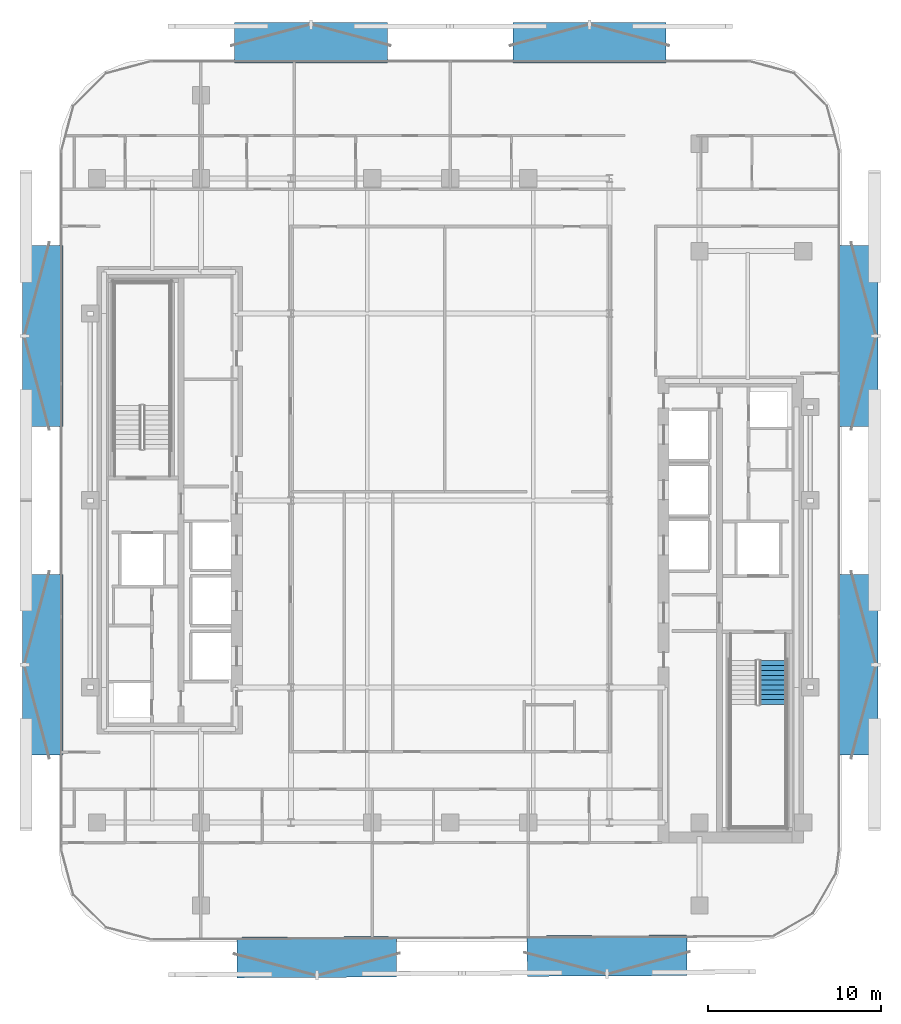
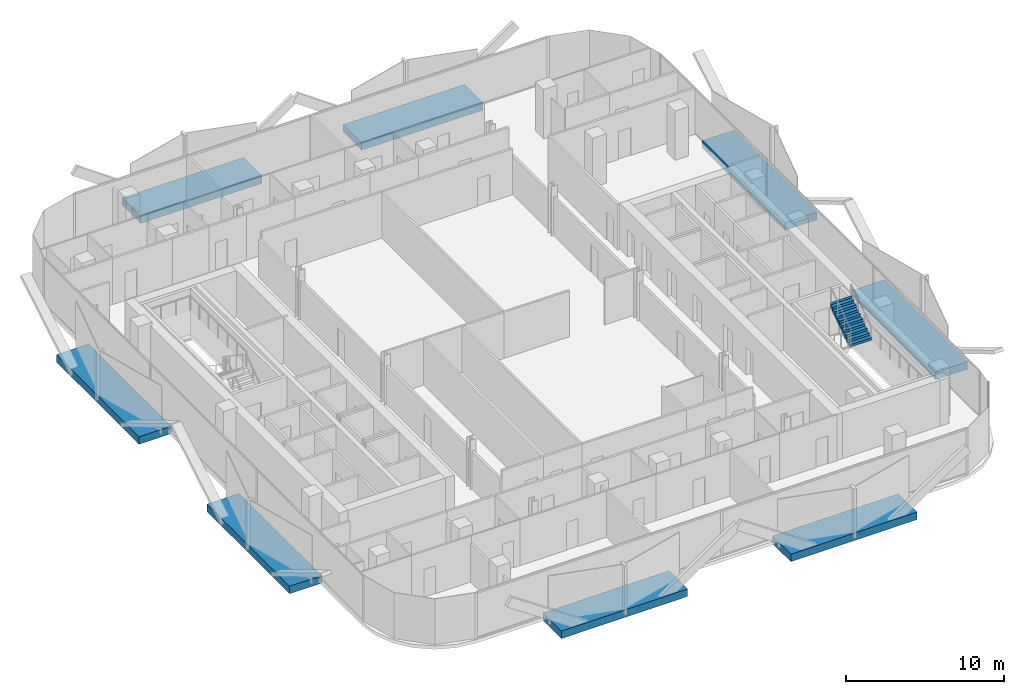
# One storey, part 8 of 17: 8 discrete accessories, 1 stair flight, 1 element without a shape of its own.
"""IFC4 building model written with IfcOpenShell, lengths in metres."""

from ifc_helpers import new_model, si_unit, direction, frame, origin, origin_2d, place, context, subcontext, project, spatial, polyline, rectangle, outline, extrude, material, layer, layer_set, type_object, element, aggregate, save


model = new_model("IFC4")

# Units and contexts
model_context = context("Model", 3, precision=1e-05, world=origin(), true_north=direction((0.0, 1.0)))
body_context = subcontext(model_context, "Body", "Model", "MODEL_VIEW")
ifc_project = project(units=[si_unit("LENGTHUNIT", "METRE"), si_unit("AREAUNIT", "SQUARE_METRE"), si_unit("VOLUMEUNIT", "CUBIC_METRE"), si_unit("PLANEANGLEUNIT", "RADIAN"), si_unit("MASSUNIT", "GRAM", prefix="KILO")], contexts=[model_context])

# Site, building, storey
site_placement = place(None, origin())
site = spatial("IfcSite", under=ifc_project, at=site_placement, CompositionType="ELEMENT")
building_placement = place(site_placement, origin())
building = spatial("IfcBuilding", under=site, at=building_placement, Name="Khairoan Windgate Tower", CompositionType="ELEMENT")
storey_placement = place(building_placement, frame((0.0, 0.0, 180.199951171875)))
storey = spatial("IfcBuildingStorey", under=building, at=storey_placement, Name="L41", CompositionType="ELEMENT", Elevation=180.199951171875)

# Stair, stair flight
ifc_material_1 = material(Name="Concrete C40/50", Category="concrete")
stair_type = type_object("IfcStairType", Name="Tower Core Dog-Leg Stair ST-T1 1560mm", PredefinedType="HALF_TURN_STAIR", material=ifc_material_1)
stair_placement = place(storey_placement, origin())
stair = element("IfcStair", 1, at=stair_placement, inside=storey, type_object=stair_type, Name="L41 Stair ST1", PredefinedType="HALF_TURN_STAIR")
ifc_material_2 = material(Name="Concrete C40/50", Category="concrete")
ifc_layer = layer(ifc_material_2, 0.14990234375, Name="Concrete C40/50")
ifc_layer_set = layer_set([ifc_layer], Name="Concrete C40/50")
stair_flight_type = type_object("IfcStairFlightType", Name="Tower Core Stair Flight STF-1560", PredefinedType="STRAIGHT", material=ifc_layer_set)
stair_flight_placement = place(storey_placement, frame((18.639892578125, -11.780029296875, 1.900146484375), z_axis=(0.0, 0.0, 1.0), x_axis=(0.0, 1.0, 0.0)))
stair_flight = element("IfcStairFlight", 2, at=stair_flight_placement, type_object=stair_flight_type, Name="ST1 flight 2", NumberOfRisers=10, NumberOfTreads=9, PredefinedType="STRAIGHT", RiserHeight=0.19, TreadLength=0.28, context=body_context, shape_type="SweptSolid", body=[
    extrude(outline(polyline([(-0.00390625, 0.0), (-0.00390625, 0.18994140625), (0.0, 0.18994140625), (0.280029296875, 0.18994140625), (0.280029296875, 0.3798828125), (0.56005859375, 0.3798828125), (0.56005859375, 0.570068359375), (0.840087890625, 0.570068359375), (0.840087890625, 0.760009765625), (1.1201171875, 0.760009765625), (1.1201171875, 0.949951171875), (1.39990234375, 0.949951171875), (1.39990234375, 1.139892578125), (1.679931640625, 1.139892578125), (1.679931640625, 1.330078125), (1.9599609375, 1.330078125), (1.9599609375, 1.52001953125), (2.239990234375, 1.52001953125), (2.239990234375, 1.7099609375), (2.52001953125, 1.7099609375), (2.52001953125, 1.89990234375), (2.52392578125, 1.89990234375), (2.52392578125, 1.52880859375), (0.266845703125, 0.0), (-0.00390625, 0.0)])), frame((0.0, 0.780029296875, 0.0), z_axis=(0.0, -1.0, 0.0), x_axis=(1.0, 0.0, 0.0)), (0.0, 0.0, 1.0), 1.56005859375),
])
aggregate(stair, [stair_flight])

# Discrete accessories
ifc_material_3 = material(Name="Steel S355", Category="steel")
discrete_accessory_type = type_object("IfcDiscreteAccessoryType", Name="Solar Screen Outrigger Slab Bracket SSB-1", PredefinedType="BRACKET", material=ifc_material_3)
for number, where, z_axis, x_axis, name in (
    (3, (9.05908203125, -26.30029296875, -0.419921875), (0.0, 0.0, 1.0), (-0.999988059021, -0.004886902454, 0.0), "L41 Solar Screen Outrigger Bracket 265"),
    (4, (-7.7041015625, -26.3828125, -0.419921875), (0.0, 0.0, 1.0), (-0.999988059021, -0.004886902454, 0.0), "L41 Solar Screen Outrigger Bracket 266"),
):
    element("IfcDiscreteAccessory", number, at=place(storey_placement, frame(where, z_axis=z_axis, x_axis=x_axis)), inside=storey, type_object=discrete_accessory_type, Name=name, PredefinedType="BRACKET", context=body_context, shape_type="SweptSolid", body=[
        extrude(rectangle(XDim=9.219970703125, YDim=2.340087890625, at=origin_2d()), origin(), (0.0, 0.0, 1.0), 0.580078125),
    ])
for number, where, z_axis, x_axis, name in (
    (5, (-23.530029296875, -9.495361328125, -0.419921875), (0.0, 0.0, 1.0), (0.0, 1.0, 0.0), "L41 Solar Screen Outrigger Bracket 267"),
    (6, (-23.530029296875, 9.495361328125, -0.419921875), (0.0, 0.0, 1.0), (0.0, 1.0, 0.0), "L41 Solar Screen Outrigger Bracket 268"),
):
    element("IfcDiscreteAccessory", number, at=place(storey_placement, frame(where, z_axis=z_axis, x_axis=x_axis)), inside=storey, type_object=discrete_accessory_type, Name=name, PredefinedType="BRACKET", context=body_context, shape_type="SweptSolid", body=[
        extrude(rectangle(XDim=10.445068359375, YDim=2.340087890625, at=origin_2d()), origin(), (0.0, 0.0, 1.0), 0.580078125),
    ])
for number, where, z_axis, x_axis, name in (
    (7, (-8.04541015625, 26.429931640625, -0.419921875), (0.0, 0.0, 1.0), (1.0, 0.0, 0.0), "L41 Solar Screen Outrigger Bracket 269"),
    (8, (8.04541015625, 26.429931640625, -0.419921875), (0.0, 0.0, 1.0), (1.0, 0.0, 0.0), "L41 Solar Screen Outrigger Bracket 270"),
):
    element("IfcDiscreteAccessory", number, at=place(storey_placement, frame(where, z_axis=z_axis, x_axis=x_axis)), inside=storey, type_object=discrete_accessory_type, Name=name, PredefinedType="BRACKET", context=body_context, shape_type="SweptSolid", body=[
        extrude(rectangle(XDim=8.85009765625, YDim=2.340087890625, at=origin_2d()), origin(), (0.0, 0.0, 1.0), 0.580078125),
    ])
for number, where, z_axis, x_axis, name in (
    (9, (23.530029296875, 9.495361328125, -0.419921875), (0.0, 0.0, 1.0), (0.0, -1.0, 0.0), "L41 Solar Screen Outrigger Bracket 271"),
    (10, (23.530029296875, -9.495361328125, -0.419921875), (0.0, 0.0, 1.0), (0.0, -1.0, 0.0), "L41 Solar Screen Outrigger Bracket 272"),
):
    element("IfcDiscreteAccessory", number, at=place(storey_placement, frame(where, z_axis=z_axis, x_axis=x_axis)), inside=storey, type_object=discrete_accessory_type, Name=name, PredefinedType="BRACKET", context=body_context, shape_type="SweptSolid", body=[
        extrude(rectangle(XDim=10.445068359375, YDim=2.340087890625, at=origin_2d()), origin(), (0.0, 0.0, 1.0), 0.580078125),
    ])

save(model, "model.ifc")
